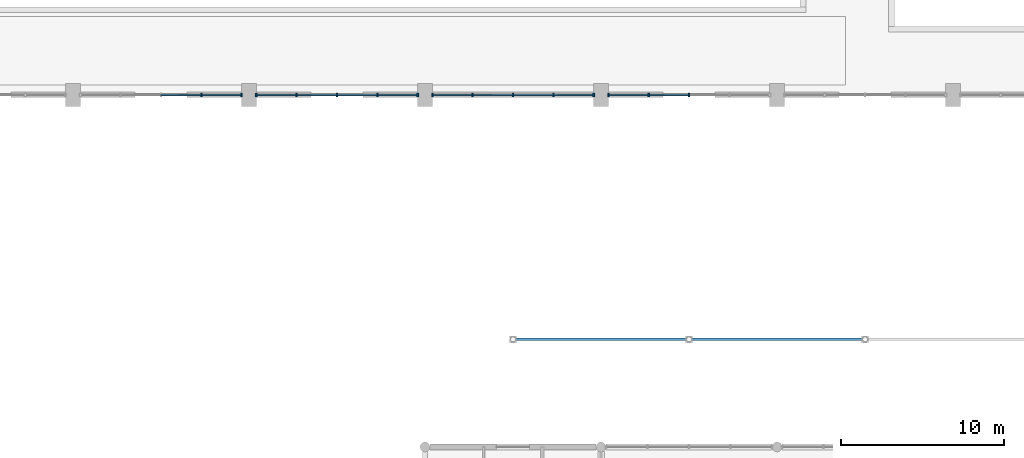
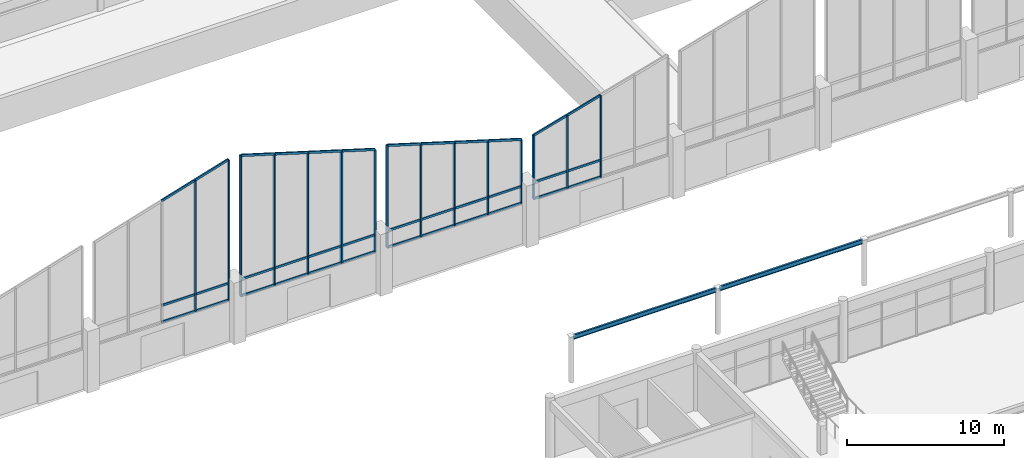
# One storey, part 24 of 82: 45 members, 2 beams, 4 elements without a shape of their own.
"""IFC4 building model written with IfcOpenShell, lengths in metres."""

from ifc_helpers import new_model, si_unit, direction, frame, origin, origin_2d, place, context, subcontext, project, spatial, rectangle, i_section, extrude, material, material_profile, profile_set, type_object, element, aggregate, save


model = new_model("IFC4")

# Units and contexts
model_context = context("Model", 3, precision=1e-05, world=origin(), true_north=direction((0.0, 1.0)))
body_context = subcontext(model_context, "Body", "Model", "MODEL_VIEW")
ifc_project = project(units=[si_unit("LENGTHUNIT", "METRE"), si_unit("AREAUNIT", "SQUARE_METRE"), si_unit("VOLUMEUNIT", "CUBIC_METRE"), si_unit("PLANEANGLEUNIT", "RADIAN"), si_unit("MASSUNIT", "GRAM", prefix="KILO")], contexts=[model_context])

# Site, building, storey
site_placement = place(None, origin())
site = spatial("IfcSite", under=ifc_project, at=site_placement, CompositionType="ELEMENT")
building_placement = place(site_placement, origin())
building = spatial("IfcBuilding", under=site, at=building_placement, Name="Suirenkawa Promenade Aquatics Centre", CompositionType="ELEMENT")
storey_placement = place(building_placement, origin())
storey = spatial("IfcBuildingStorey", under=building, at=storey_placement, Name="L00", CompositionType="ELEMENT", Elevation=0.0)

# Beams
ifc_material_1 = material(Name="Steel IS 2062 E350 (Grade 350)", Category="steel")
ifc_material_profile_1 = material_profile(ifc_material_1, i_section(OverallWidth=0.139892578125, OverallDepth=0.35009765625, WebThickness=0.008056640625, FlangeThickness=0.013916015625, at=origin_2d()), Name="ISMB 350", Category="steel")
ifc_profile_set_1 = profile_set([ifc_material_profile_1], Name="Steel IS 2062 E350 (Grade 350)")
beam_type = type_object("IfcBeamType", Name="BT-JOIST-ISMB350", PredefinedType="JOIST", material=ifc_profile_set_1)
for number, where, z_axis, x_axis, name in (
    (1, (84.699951171875, 35.39990234375, 3.425048828125), (1.0, 0.0, 0.0), (0.0, 1.0, 0.0), "Cloister canopy beam JS-03 BM-1340"),
    (2, (95.5, 35.39990234375, 3.425048828125), (1.0, 0.0, 0.0), (0.0, 1.0, 0.0), "Cloister canopy beam JS-03 BM-1341"),
):
    element("IfcBeam", number, at=place(storey_placement, frame(where, z_axis=z_axis, x_axis=x_axis)), inside=storey, type_object=beam_type, Name=name, PredefinedType="JOIST", context=body_context, shape_type="SweptSolid", body=[
        extrude(i_section(OverallWidth=0.139892578125, OverallDepth=0.35009765625, WebThickness=0.008056640625, FlangeThickness=0.013916015625, at=origin_2d()), origin(), (0.0, 0.0, 1.0), 10.60009765625),
    ])

# Curtain wall, members
ifc_material_2 = material(Name="Anodised aluminium 6063-T6", Category="aluminium")
curtain_wall_type_1 = type_object("IfcCurtainWallType", Name="CWAT-CLERS-08", PredefinedType="NOTDEFINED", material=ifc_material_2)
curtain_wall_1_placement = place(storey_placement, origin())
curtain_wall_1 = element("IfcCurtainWall", 3, at=curtain_wall_1_placement, inside=storey, type_object=curtain_wall_type_1, Name="Curtain wall CWA-08 CW-012", PredefinedType="NOTDEFINED")
ifc_material_profile_2 = material_profile(ifc_material_2, rectangle(XDim=0.10009765625, YDim=0.219970703125, at=origin_2d()), Name="ALU MULL 100x220", Category="aluminium")
ifc_profile_set_2 = profile_set([ifc_material_profile_2], Name="Anodised aluminium 6063-T6")
member_type_1 = type_object("IfcMemberType", Name="CWM-220x100", PredefinedType="MULLION", material=ifc_profile_set_2)
member_1_placement = place(storey_placement, frame((67.950927734375, 50.39990234375, 3.10009765625), z_axis=(0.0, 0.0, 1.0), x_axis=(-1.0, 0.0, 0.0)))
member_1 = element("IfcMember", 4, at=member_1_placement, type_object=member_type_1, Name="Mullion ML-01 CWM-00265", PredefinedType="MULLION", context=body_context, shape_type="SweptSolid", body=[
    extrude(rectangle(XDim=0.10009765625, YDim=0.219970703125, at=origin_2d()), origin(), (0.0, 0.0, 1.0), 10.949951171875),
])
member_2_placement = place(storey_placement, frame((65.4755859375, 50.39990234375, 3.10009765625), z_axis=(0.0, 0.0, 1.0), x_axis=(-1.0, 0.0, 0.0)))
member_2 = element("IfcMember", 5, at=member_2_placement, type_object=member_type_1, Name="Mullion ML-01 CWM-00266", PredefinedType="MULLION", context=body_context, shape_type="SweptSolid", body=[
    extrude(rectangle(XDim=0.10009765625, YDim=0.219970703125, at=origin_2d()), origin(), (0.0, 0.0, 1.0), 10.199951171875),
])

curtain_wall_2_placement = place(storey_placement, origin())
curtain_wall_2 = element("IfcCurtainWall", 6, at=curtain_wall_2_placement, inside=storey, type_object=curtain_wall_type_1, Name="Curtain wall CWA-08 CW-014", PredefinedType="NOTDEFINED")
member_3_placement = place(storey_placement, frame((78.7509765625, 50.39990234375, 3.10009765625), z_axis=(0.0, 0.0, 1.0), x_axis=(-1.0, 0.0, 0.0)))
member_3 = element("IfcMember", 7, at=member_3_placement, type_object=member_type_1, Name="Mullion ML-01 CWM-00303", PredefinedType="MULLION", context=body_context, shape_type="SweptSolid", body=[
    extrude(rectangle(XDim=0.10009765625, YDim=0.219970703125, at=origin_2d()), origin(), (0.0, 0.0, 1.0), 7.949951171875),
])
member_4_placement = place(storey_placement, frame((76.275390625, 50.39990234375, 3.10009765625), z_axis=(0.0, 0.0, 1.0), x_axis=(-1.0, 0.0, 0.0)))
member_4 = element("IfcMember", 8, at=member_4_placement, type_object=member_type_1, Name="Mullion ML-01 CWM-00304", PredefinedType="MULLION", context=body_context, shape_type="SweptSolid", body=[
    extrude(rectangle(XDim=0.10009765625, YDim=0.219970703125, at=origin_2d()), origin(), (0.0, 0.0, 1.0), 8.699951171875),
])
member_5_placement = place(storey_placement, frame((73.800048828125, 50.39990234375, 3.10009765625), z_axis=(0.0, 0.0, 1.0), x_axis=(-1.0, 0.0, 0.0)))
member_5 = element("IfcMember", 9, at=member_5_placement, type_object=member_type_1, Name="Mullion ML-01 CWM-00305", PredefinedType="MULLION", context=body_context, shape_type="SweptSolid", body=[
    extrude(rectangle(XDim=0.10009765625, YDim=0.219970703125, at=origin_2d()), origin(), (0.0, 0.0, 1.0), 9.449951171875),
])
member_6_placement = place(storey_placement, frame((71.324462890625, 50.39990234375, 3.10009765625), z_axis=(0.0, 0.0, 1.0), x_axis=(-1.0, 0.0, 0.0)))
member_6 = element("IfcMember", 10, at=member_6_placement, type_object=member_type_1, Name="Mullion ML-01 CWM-00306", PredefinedType="MULLION", context=body_context, shape_type="SweptSolid", body=[
    extrude(rectangle(XDim=0.10009765625, YDim=0.219970703125, at=origin_2d()), origin(), (0.0, 0.0, 1.0), 10.199951171875),
])
member_7_placement = place(storey_placement, frame((68.84912109375, 50.39990234375, 3.10009765625), z_axis=(0.0, 0.0, 1.0), x_axis=(-1.0, 0.0, 0.0)))
member_7 = element("IfcMember", 11, at=member_7_placement, type_object=member_type_1, Name="Mullion ML-01 CWM-00307", PredefinedType="MULLION", context=body_context, shape_type="SweptSolid", body=[
    extrude(rectangle(XDim=0.10009765625, YDim=0.219970703125, at=origin_2d()), origin(), (0.0, 0.0, 1.0), 10.949951171875),
])

curtain_wall_type_2 = type_object("IfcCurtainWallType", Name="CWAT-CLERS-05", PredefinedType="NOTDEFINED", material=ifc_material_2)
curtain_wall_3_placement = place(storey_placement, origin())
curtain_wall_3 = element("IfcCurtainWall", 12, at=curtain_wall_3_placement, inside=storey, type_object=curtain_wall_type_2, Name="Curtain wall CWA-05 CW-016", PredefinedType="NOTDEFINED")
member_8_placement = place(storey_placement, frame((89.551025390625, 50.39990234375, 3.10009765625), z_axis=(0.0, 0.0, 1.0), x_axis=(-1.0, 0.0, 0.0)))
member_8 = element("IfcMember", 13, at=member_8_placement, type_object=member_type_1, Name="Mullion ML-01 CWM-00341", PredefinedType="MULLION", context=body_context, shape_type="SweptSolid", body=[
    extrude(rectangle(XDim=0.10009765625, YDim=0.219970703125, at=origin_2d()), origin(), (0.0, 0.0, 1.0), 4.949951171875),
])
member_9_placement = place(storey_placement, frame((87.075439453125, 50.39990234375, 3.10009765625), z_axis=(0.0, 0.0, 1.0), x_axis=(-1.0, 0.0, 0.0)))
member_9 = element("IfcMember", 14, at=member_9_placement, type_object=member_type_1, Name="Mullion ML-01 CWM-00342", PredefinedType="MULLION", context=body_context, shape_type="SweptSolid", body=[
    extrude(rectangle(XDim=0.10009765625, YDim=0.219970703125, at=origin_2d()), origin(), (0.0, 0.0, 1.0), 5.699951171875),
])
member_10_placement = place(storey_placement, frame((84.60009765625, 50.39990234375, 3.10009765625), z_axis=(0.0, 0.0, 1.0), x_axis=(-1.0, 0.0, 0.0)))
member_10 = element("IfcMember", 15, at=member_10_placement, type_object=member_type_1, Name="Mullion ML-01 CWM-00343", PredefinedType="MULLION", context=body_context, shape_type="SweptSolid", body=[
    extrude(rectangle(XDim=0.10009765625, YDim=0.219970703125, at=origin_2d()), origin(), (0.0, 0.0, 1.0), 6.449951171875),
])
member_11_placement = place(storey_placement, frame((82.12451171875, 50.39990234375, 3.10009765625), z_axis=(0.0, 0.0, 1.0), x_axis=(-1.0, 0.0, 0.0)))
member_11 = element("IfcMember", 16, at=member_11_placement, type_object=member_type_1, Name="Mullion ML-01 CWM-00344", PredefinedType="MULLION", context=body_context, shape_type="SweptSolid", body=[
    extrude(rectangle(XDim=0.10009765625, YDim=0.219970703125, at=origin_2d()), origin(), (0.0, 0.0, 1.0), 7.199951171875),
])
member_12_placement = place(storey_placement, frame((79.64892578125, 50.39990234375, 3.10009765625), z_axis=(0.0, 0.0, 1.0), x_axis=(-1.0, 0.0, 0.0)))
member_12 = element("IfcMember", 17, at=member_12_placement, type_object=member_type_1, Name="Mullion ML-01 CWM-00345", PredefinedType="MULLION", context=body_context, shape_type="SweptSolid", body=[
    extrude(rectangle(XDim=0.10009765625, YDim=0.219970703125, at=origin_2d()), origin(), (0.0, 0.0, 1.0), 7.949951171875),
])

curtain_wall_type_3 = type_object("IfcCurtainWallType", Name="CWAT-CLERS-12", PredefinedType="NOTDEFINED", material=ifc_material_2)
curtain_wall_4_placement = place(storey_placement, origin())
curtain_wall_4 = element("IfcCurtainWall", 18, at=curtain_wall_4_placement, inside=storey, type_object=curtain_wall_type_3, Name="Curtain wall CWA-12 CW-019", PredefinedType="NOTDEFINED")
member_13_placement = place(storey_placement, frame((95.39990234375, 50.39990234375, 3.10009765625), z_axis=(0.0, 0.0, 1.0), x_axis=(-1.0, 0.0, 0.0)))
member_13 = element("IfcMember", 19, at=member_13_placement, type_object=member_type_1, Name="Mullion ML-01 CWM-00403", PredefinedType="MULLION", context=body_context, shape_type="SweptSolid", body=[
    extrude(rectangle(XDim=0.10009765625, YDim=0.219970703125, at=origin_2d()), origin(), (0.0, 0.0, 1.0), 6.349853515625),
])
member_14_placement = place(storey_placement, frame((92.924560546875, 50.39990234375, 3.10009765625), z_axis=(0.0, 0.0, 1.0), x_axis=(-1.0, 0.0, 0.0)))
member_14 = element("IfcMember", 20, at=member_14_placement, type_object=member_type_1, Name="Mullion ML-01 CWM-00404", PredefinedType="MULLION", context=body_context, shape_type="SweptSolid", body=[
    extrude(rectangle(XDim=0.10009765625, YDim=0.219970703125, at=origin_2d()), origin(), (0.0, 0.0, 1.0), 5.64990234375),
])
member_15_placement = place(storey_placement, frame((90.448974609375, 50.39990234375, 3.10009765625), z_axis=(0.0, 0.0, 1.0), x_axis=(-1.0, 0.0, 0.0)))
member_15 = element("IfcMember", 21, at=member_15_placement, type_object=member_type_1, Name="Mullion ML-01 CWM-00405", PredefinedType="MULLION", context=body_context, shape_type="SweptSolid", body=[
    extrude(rectangle(XDim=0.10009765625, YDim=0.219970703125, at=origin_2d()), origin(), (0.0, 0.0, 1.0), 4.949951171875),
])

# Member
ifc_material_profile_3 = material_profile(ifc_material_2, rectangle(XDim=0.10009765625, YDim=0.169921875, at=origin_2d()), Name="ALU TRAN 100x170", Category="aluminium")
ifc_profile_set_3 = profile_set([ifc_material_profile_3], Name="Anodised aluminium 6063-T6")
member_type_2 = type_object("IfcMemberType", Name="CWT-170x100", PredefinedType="USERDEFINED", material=ifc_profile_set_3)
member_16_placement = place(storey_placement, frame((67.950927734375, 50.39990234375, 3.10009765625), z_axis=(-1.0, 0.0, 0.0), x_axis=(0.0, -1.0, 0.0)))
member_16 = element("IfcMember", 22, at=member_16_placement, type_object=member_type_2, Name="Transom TR-01 CWT-00270", ObjectType="TRANSOM", PredefinedType="USERDEFINED", context=body_context, shape_type="SweptSolid", body=[
    extrude(rectangle(XDim=0.10009765625, YDim=0.169921875, at=origin_2d()), origin(), (0.0, 0.0, 1.0), 2.475341796875),
])

member_17_placement = place(storey_placement, frame((65.4755859375, 50.39990234375, 3.10009765625), z_axis=(-1.0, 0.0, 0.0), x_axis=(0.0, -1.0, 0.0)))
member_17 = element("IfcMember", 23, at=member_17_placement, type_object=member_type_2, Name="Transom TR-01 CWT-00271", ObjectType="TRANSOM", PredefinedType="USERDEFINED", context=body_context, shape_type="SweptSolid", body=[
    extrude(rectangle(XDim=0.10009765625, YDim=0.169921875, at=origin_2d()), origin(), (0.0, 0.0, 1.0), 2.4755859375),
])

member_18_placement = place(storey_placement, frame((67.950927734375, 50.39990234375, 4.39990234375), z_axis=(-1.0, 0.0, 0.0), x_axis=(0.0, -1.0, 0.0)))
member_18 = element("IfcMember", 24, at=member_18_placement, type_object=member_type_2, Name="Transom TR-01 CWT-00274", ObjectType="TRANSOM", PredefinedType="USERDEFINED", context=body_context, shape_type="SweptSolid", body=[
    extrude(rectangle(XDim=0.10009765625, YDim=0.169921875, at=origin_2d()), origin(), (0.0, 0.0, 1.0), 2.475341796875),
])

member_19_placement = place(storey_placement, frame((65.4755859375, 50.39990234375, 4.39990234375), z_axis=(-1.0, 0.0, 0.0), x_axis=(0.0, -1.0, 0.0)))
member_19 = element("IfcMember", 25, at=member_19_placement, type_object=member_type_2, Name="Transom TR-01 CWT-00275", ObjectType="TRANSOM", PredefinedType="USERDEFINED", context=body_context, shape_type="SweptSolid", body=[
    extrude(rectangle(XDim=0.10009765625, YDim=0.169921875, at=origin_2d()), origin(), (0.0, 0.0, 1.0), 2.4755859375),
])

member_20_placement = place(storey_placement, frame((67.950927734375, 50.39990234375, 14.050048828125), z_axis=(-0.957039486046, 0.0, -0.289957621296), x_axis=(0.0, -1.0, 0.0)))
member_20 = element("IfcMember", 26, at=member_20_placement, type_object=member_type_2, Name="Roofline transom TR-01 CWT-00278", ObjectType="TRANSOM", PredefinedType="USERDEFINED", context=body_context, shape_type="SweptSolid", body=[
    extrude(rectangle(XDim=0.10009765625, YDim=0.169921875, at=origin_2d()), origin(), (0.0, 0.0, 1.0), 5.173095703125),
])

aggregate(curtain_wall_1, [member_1, member_2, member_16, member_17, member_18, member_19, member_20])

member_21_placement = place(storey_placement, frame((78.7509765625, 50.39990234375, 3.10009765625), z_axis=(-1.0, 0.0, 0.0), x_axis=(0.0, -1.0, 0.0)))
member_21 = element("IfcMember", 27, at=member_21_placement, type_object=member_type_2, Name="Transom TR-01 CWT-00308", ObjectType="TRANSOM", PredefinedType="USERDEFINED", context=body_context, shape_type="SweptSolid", body=[
    extrude(rectangle(XDim=0.10009765625, YDim=0.169921875, at=origin_2d()), origin(), (0.0, 0.0, 1.0), 2.4755859375),
])

member_22_placement = place(storey_placement, frame((76.275390625, 50.39990234375, 3.10009765625), z_axis=(-1.0, 0.0, 0.0), x_axis=(0.0, -1.0, 0.0)))
member_22 = element("IfcMember", 28, at=member_22_placement, type_object=member_type_2, Name="Transom TR-01 CWT-00309", ObjectType="TRANSOM", PredefinedType="USERDEFINED", context=body_context, shape_type="SweptSolid", body=[
    extrude(rectangle(XDim=0.10009765625, YDim=0.169921875, at=origin_2d()), origin(), (0.0, 0.0, 1.0), 2.475341796875),
])

member_23_placement = place(storey_placement, frame((73.800048828125, 50.39990234375, 3.10009765625), z_axis=(-1.0, 0.0, 0.0), x_axis=(0.0, -1.0, 0.0)))
member_23 = element("IfcMember", 29, at=member_23_placement, type_object=member_type_2, Name="Transom TR-01 CWT-00310", ObjectType="TRANSOM", PredefinedType="USERDEFINED", context=body_context, shape_type="SweptSolid", body=[
    extrude(rectangle(XDim=0.10009765625, YDim=0.169921875, at=origin_2d()), origin(), (0.0, 0.0, 1.0), 2.4755859375),
])

member_24_placement = place(storey_placement, frame((71.324462890625, 50.39990234375, 3.10009765625), z_axis=(-1.0, 0.0, 0.0), x_axis=(0.0, -1.0, 0.0)))
member_24 = element("IfcMember", 30, at=member_24_placement, type_object=member_type_2, Name="Transom TR-01 CWT-00311", ObjectType="TRANSOM", PredefinedType="USERDEFINED", context=body_context, shape_type="SweptSolid", body=[
    extrude(rectangle(XDim=0.10009765625, YDim=0.169921875, at=origin_2d()), origin(), (0.0, 0.0, 1.0), 2.475341796875),
])

member_25_placement = place(storey_placement, frame((78.7509765625, 50.39990234375, 4.39990234375), z_axis=(-1.0, 0.0, 0.0), x_axis=(0.0, -1.0, 0.0)))
member_25 = element("IfcMember", 31, at=member_25_placement, type_object=member_type_2, Name="Transom TR-01 CWT-00312", ObjectType="TRANSOM", PredefinedType="USERDEFINED", context=body_context, shape_type="SweptSolid", body=[
    extrude(rectangle(XDim=0.10009765625, YDim=0.169921875, at=origin_2d()), origin(), (0.0, 0.0, 1.0), 2.4755859375),
])

member_26_placement = place(storey_placement, frame((76.275390625, 50.39990234375, 4.39990234375), z_axis=(-1.0, 0.0, 0.0), x_axis=(0.0, -1.0, 0.0)))
member_26 = element("IfcMember", 32, at=member_26_placement, type_object=member_type_2, Name="Transom TR-01 CWT-00313", ObjectType="TRANSOM", PredefinedType="USERDEFINED", context=body_context, shape_type="SweptSolid", body=[
    extrude(rectangle(XDim=0.10009765625, YDim=0.169921875, at=origin_2d()), origin(), (0.0, 0.0, 1.0), 2.475341796875),
])

member_27_placement = place(storey_placement, frame((73.800048828125, 50.39990234375, 4.39990234375), z_axis=(-1.0, 0.0, 0.0), x_axis=(0.0, -1.0, 0.0)))
member_27 = element("IfcMember", 33, at=member_27_placement, type_object=member_type_2, Name="Transom TR-01 CWT-00314", ObjectType="TRANSOM", PredefinedType="USERDEFINED", context=body_context, shape_type="SweptSolid", body=[
    extrude(rectangle(XDim=0.10009765625, YDim=0.169921875, at=origin_2d()), origin(), (0.0, 0.0, 1.0), 2.4755859375),
])

member_28_placement = place(storey_placement, frame((71.324462890625, 50.39990234375, 4.39990234375), z_axis=(-1.0, 0.0, 0.0), x_axis=(0.0, -1.0, 0.0)))
member_28 = element("IfcMember", 34, at=member_28_placement, type_object=member_type_2, Name="Transom TR-01 CWT-00315", ObjectType="TRANSOM", PredefinedType="USERDEFINED", context=body_context, shape_type="SweptSolid", body=[
    extrude(rectangle(XDim=0.10009765625, YDim=0.169921875, at=origin_2d()), origin(), (0.0, 0.0, 1.0), 2.475341796875),
])

member_29_placement = place(storey_placement, frame((78.7509765625, 50.39990234375, 11.050048828125), z_axis=(-0.957039486046, 0.0, 0.289957621296), x_axis=(0.0, -1.0, 0.0)))
member_29 = element("IfcMember", 35, at=member_29_placement, type_object=member_type_2, Name="Roofline transom TR-01 CWT-00316", ObjectType="TRANSOM", PredefinedType="USERDEFINED", context=body_context, shape_type="SweptSolid", body=[
    extrude(rectangle(XDim=0.10009765625, YDim=0.169921875, at=origin_2d()), origin(), (0.0, 0.0, 1.0), 5.173095703125),
])

member_30_placement = place(storey_placement, frame((73.800048828125, 50.39990234375, 12.550048828125), z_axis=(-0.957039486046, 0.0, 0.289957621296), x_axis=(0.0, -1.0, 0.0)))
member_30 = element("IfcMember", 36, at=member_30_placement, type_object=member_type_2, Name="Roofline transom TR-01 CWT-00317", ObjectType="TRANSOM", PredefinedType="USERDEFINED", context=body_context, shape_type="SweptSolid", body=[
    extrude(rectangle(XDim=0.10009765625, YDim=0.169921875, at=origin_2d()), origin(), (0.0, 0.0, 1.0), 5.173095703125),
])

aggregate(curtain_wall_2, [member_3, member_4, member_5, member_6, member_7, member_21, member_22, member_23, member_24, member_25, member_26, member_27, member_28, member_29, member_30])

member_31_placement = place(storey_placement, frame((89.551025390625, 50.39990234375, 3.10009765625), z_axis=(-1.0, 0.0, 0.0), x_axis=(0.0, -1.0, 0.0)))
member_31 = element("IfcMember", 37, at=member_31_placement, type_object=member_type_2, Name="Transom TR-01 CWT-00346", ObjectType="TRANSOM", PredefinedType="USERDEFINED", context=body_context, shape_type="SweptSolid", body=[
    extrude(rectangle(XDim=0.10009765625, YDim=0.169921875, at=origin_2d()), origin(), (0.0, 0.0, 1.0), 2.4755859375),
])

member_32_placement = place(storey_placement, frame((87.075439453125, 50.39990234375, 3.10009765625), z_axis=(-1.0, 0.0, 0.0), x_axis=(0.0, -1.0, 0.0)))
member_32 = element("IfcMember", 38, at=member_32_placement, type_object=member_type_2, Name="Transom TR-01 CWT-00347", ObjectType="TRANSOM", PredefinedType="USERDEFINED", context=body_context, shape_type="SweptSolid", body=[
    extrude(rectangle(XDim=0.10009765625, YDim=0.169921875, at=origin_2d()), origin(), (0.0, 0.0, 1.0), 2.475341796875),
])

member_33_placement = place(storey_placement, frame((84.60009765625, 50.39990234375, 3.10009765625), z_axis=(-1.0, 0.0, 0.0), x_axis=(0.0, -1.0, 0.0)))
member_33 = element("IfcMember", 39, at=member_33_placement, type_object=member_type_2, Name="Transom TR-01 CWT-00348", ObjectType="TRANSOM", PredefinedType="USERDEFINED", context=body_context, shape_type="SweptSolid", body=[
    extrude(rectangle(XDim=0.10009765625, YDim=0.169921875, at=origin_2d()), origin(), (0.0, 0.0, 1.0), 2.4755859375),
])

member_34_placement = place(storey_placement, frame((82.12451171875, 50.39990234375, 3.10009765625), z_axis=(-1.0, 0.0, 0.0), x_axis=(0.0, -1.0, 0.0)))
member_34 = element("IfcMember", 40, at=member_34_placement, type_object=member_type_2, Name="Transom TR-01 CWT-00349", ObjectType="TRANSOM", PredefinedType="USERDEFINED", context=body_context, shape_type="SweptSolid", body=[
    extrude(rectangle(XDim=0.10009765625, YDim=0.169921875, at=origin_2d()), origin(), (0.0, 0.0, 1.0), 2.4755859375),
])

member_35_placement = place(storey_placement, frame((89.551025390625, 50.39990234375, 4.39990234375), z_axis=(-1.0, 0.0, 0.0), x_axis=(0.0, -1.0, 0.0)))
member_35 = element("IfcMember", 41, at=member_35_placement, type_object=member_type_2, Name="Transom TR-01 CWT-00350", ObjectType="TRANSOM", PredefinedType="USERDEFINED", context=body_context, shape_type="SweptSolid", body=[
    extrude(rectangle(XDim=0.10009765625, YDim=0.169921875, at=origin_2d()), origin(), (0.0, 0.0, 1.0), 2.4755859375),
])

member_36_placement = place(storey_placement, frame((87.075439453125, 50.39990234375, 4.39990234375), z_axis=(-1.0, 0.0, 0.0), x_axis=(0.0, -1.0, 0.0)))
member_36 = element("IfcMember", 42, at=member_36_placement, type_object=member_type_2, Name="Transom TR-01 CWT-00351", ObjectType="TRANSOM", PredefinedType="USERDEFINED", context=body_context, shape_type="SweptSolid", body=[
    extrude(rectangle(XDim=0.10009765625, YDim=0.169921875, at=origin_2d()), origin(), (0.0, 0.0, 1.0), 2.475341796875),
])

member_37_placement = place(storey_placement, frame((84.60009765625, 50.39990234375, 4.39990234375), z_axis=(-1.0, 0.0, 0.0), x_axis=(0.0, -1.0, 0.0)))
member_37 = element("IfcMember", 43, at=member_37_placement, type_object=member_type_2, Name="Transom TR-01 CWT-00352", ObjectType="TRANSOM", PredefinedType="USERDEFINED", context=body_context, shape_type="SweptSolid", body=[
    extrude(rectangle(XDim=0.10009765625, YDim=0.169921875, at=origin_2d()), origin(), (0.0, 0.0, 1.0), 2.4755859375),
])

member_38_placement = place(storey_placement, frame((82.12451171875, 50.39990234375, 4.39990234375), z_axis=(-1.0, 0.0, 0.0), x_axis=(0.0, -1.0, 0.0)))
member_38 = element("IfcMember", 44, at=member_38_placement, type_object=member_type_2, Name="Transom TR-01 CWT-00353", ObjectType="TRANSOM", PredefinedType="USERDEFINED", context=body_context, shape_type="SweptSolid", body=[
    extrude(rectangle(XDim=0.10009765625, YDim=0.169921875, at=origin_2d()), origin(), (0.0, 0.0, 1.0), 2.4755859375),
])

member_39_placement = place(storey_placement, frame((89.551025390625, 50.39990234375, 8.050048828125), z_axis=(-0.957039486046, 0.0, 0.289957621296), x_axis=(0.0, -1.0, 0.0)))
member_39 = element("IfcMember", 45, at=member_39_placement, type_object=member_type_2, Name="Roofline transom TR-01 CWT-00354", ObjectType="TRANSOM", PredefinedType="USERDEFINED", context=body_context, shape_type="SweptSolid", body=[
    extrude(rectangle(XDim=0.10009765625, YDim=0.169921875, at=origin_2d()), origin(), (0.0, 0.0, 1.0), 5.173095703125),
])

member_40_placement = place(storey_placement, frame((84.60009765625, 50.39990234375, 9.550048828125), z_axis=(-0.957043453601, 0.0, 0.289944525588), x_axis=(0.0, -1.0, 0.0)))
member_40 = element("IfcMember", 46, at=member_40_placement, type_object=member_type_2, Name="Roofline transom TR-01 CWT-00355", ObjectType="TRANSOM", PredefinedType="USERDEFINED", context=body_context, shape_type="SweptSolid", body=[
    extrude(rectangle(XDim=0.10009765625, YDim=0.169921875, at=origin_2d()), origin(), (0.0, 0.0, 1.0), 5.17333984375),
])

aggregate(curtain_wall_3, [member_8, member_9, member_10, member_11, member_12, member_31, member_32, member_33, member_34, member_35, member_36, member_37, member_38, member_39, member_40])

member_41_placement = place(storey_placement, frame((95.39990234375, 50.39990234375, 3.10009765625), z_axis=(-1.0, 0.0, 0.0), x_axis=(0.0, -1.0, 0.0)))
member_41 = element("IfcMember", 47, at=member_41_placement, type_object=member_type_2, Name="Transom TR-01 CWT-00408", ObjectType="TRANSOM", PredefinedType="USERDEFINED", context=body_context, shape_type="SweptSolid", body=[
    extrude(rectangle(XDim=0.10009765625, YDim=0.169921875, at=origin_2d()), origin(), (0.0, 0.0, 1.0), 2.475341796875),
])

member_42_placement = place(storey_placement, frame((92.924560546875, 50.39990234375, 3.10009765625), z_axis=(-1.0, 0.0, 0.0), x_axis=(0.0, -1.0, 0.0)))
member_42 = element("IfcMember", 48, at=member_42_placement, type_object=member_type_2, Name="Transom TR-01 CWT-00409", ObjectType="TRANSOM", PredefinedType="USERDEFINED", context=body_context, shape_type="SweptSolid", body=[
    extrude(rectangle(XDim=0.10009765625, YDim=0.169921875, at=origin_2d()), origin(), (0.0, 0.0, 1.0), 2.4755859375),
])

member_43_placement = place(storey_placement, frame((95.39990234375, 50.39990234375, 4.39990234375), z_axis=(-1.0, 0.0, 0.0), x_axis=(0.0, -1.0, 0.0)))
member_43 = element("IfcMember", 49, at=member_43_placement, type_object=member_type_2, Name="Transom TR-01 CWT-00412", ObjectType="TRANSOM", PredefinedType="USERDEFINED", context=body_context, shape_type="SweptSolid", body=[
    extrude(rectangle(XDim=0.10009765625, YDim=0.169921875, at=origin_2d()), origin(), (0.0, 0.0, 1.0), 2.475341796875),
])

member_44_placement = place(storey_placement, frame((92.924560546875, 50.39990234375, 4.39990234375), z_axis=(-1.0, 0.0, 0.0), x_axis=(0.0, -1.0, 0.0)))
member_44 = element("IfcMember", 50, at=member_44_placement, type_object=member_type_2, Name="Transom TR-01 CWT-00413", ObjectType="TRANSOM", PredefinedType="USERDEFINED", context=body_context, shape_type="SweptSolid", body=[
    extrude(rectangle(XDim=0.10009765625, YDim=0.169921875, at=origin_2d()), origin(), (0.0, 0.0, 1.0), 2.4755859375),
])

member_45_placement = place(storey_placement, frame((95.39990234375, 50.39990234375, 9.449951171875), z_axis=(-0.962272408902, 0.0, -0.272087873793), x_axis=(0.0, -1.0, 0.0)))
member_45 = element("IfcMember", 51, at=member_45_placement, type_object=member_type_2, Name="Roofline transom TR-01 CWT-00415", ObjectType="TRANSOM", PredefinedType="USERDEFINED", context=body_context, shape_type="SweptSolid", body=[
    extrude(rectangle(XDim=0.10009765625, YDim=0.169921875, at=origin_2d()), origin(), (0.0, 0.0, 1.0), 5.14501953125),
])

aggregate(curtain_wall_4, [member_13, member_14, member_15, member_41, member_42, member_43, member_44, member_45])

save(model, "model.ifc")
